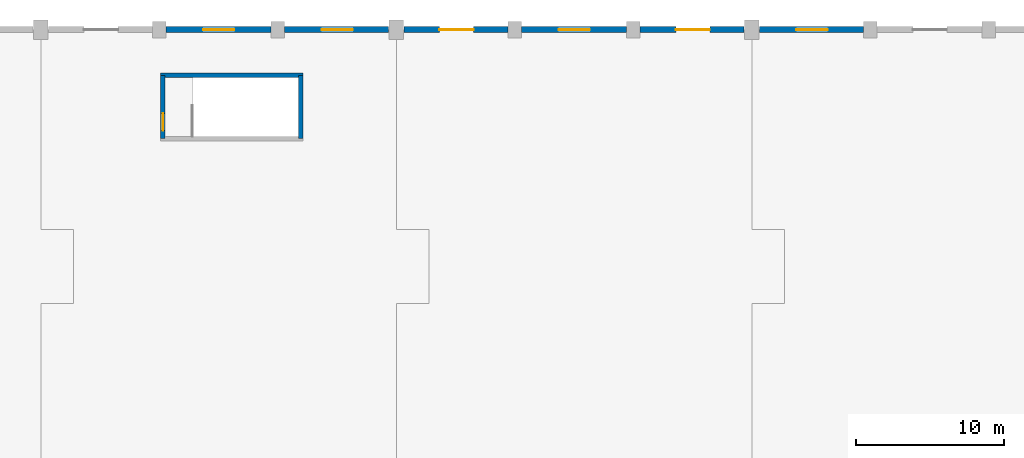
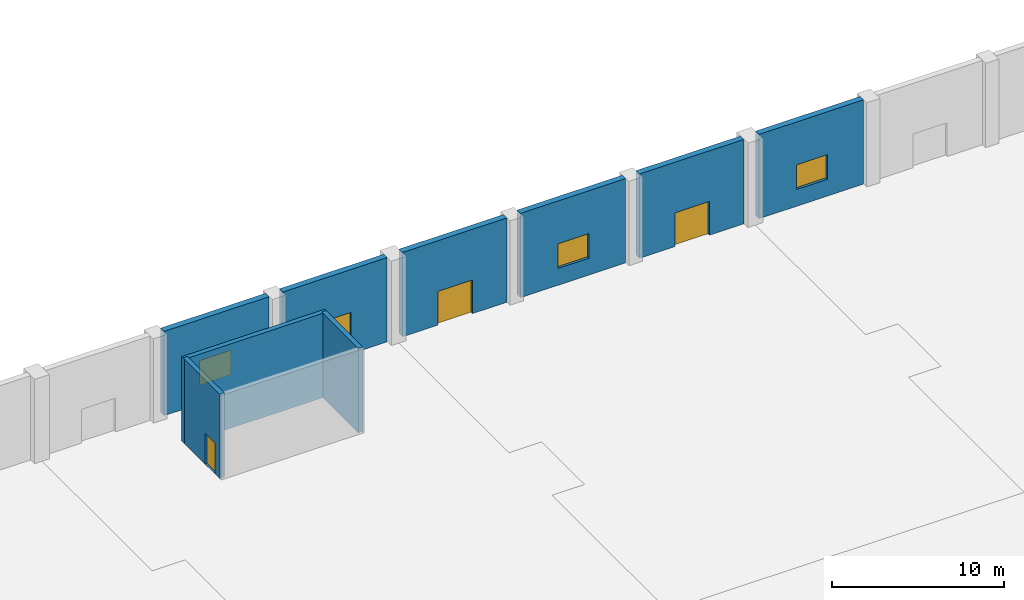
# One storey, part 34 of 49: 9 walls, 4 windows, 3 doors, 7 openings.
"""IFC4 building model written with IfcOpenShell, lengths in metres."""

from ifc_helpers import new_model, si_unit, direction, frame, frame_2d, origin, place, context, subcontext, project, spatial, rectangle, extrude, material, layer, layer_set, type_object, element, fill, save


model = new_model("IFC4")

# Units and contexts
model_context = context("Model", 3, precision=1e-05, world=origin(), true_north=direction((0.0, 1.0)))
body_context = subcontext(model_context, "Body", "Model", "MODEL_VIEW")
ifc_project = project(units=[si_unit("LENGTHUNIT", "METRE"), si_unit("AREAUNIT", "SQUARE_METRE"), si_unit("VOLUMEUNIT", "CUBIC_METRE"), si_unit("PLANEANGLEUNIT", "RADIAN"), si_unit("MASSUNIT", "GRAM", prefix="KILO")], contexts=[model_context])

# Site, building, storey
site_placement = place(None, origin())
site = spatial("IfcSite", under=ifc_project, at=site_placement, CompositionType="ELEMENT")
building_placement = place(site_placement, origin())
building = spatial("IfcBuilding", under=site, at=building_placement, Name="Tlacozan Convention Centre", CompositionType="ELEMENT")
storey_placement = place(building_placement, origin())
storey = spatial("IfcBuildingStorey", under=building, at=storey_placement, Name="L00", CompositionType="ELEMENT", Elevation=0.0)

# Wall, opening, window
ifc_material_1 = material(Name="Concrete C40/50", Category="concrete")
ifc_layer_1 = layer(ifc_material_1, 0.39990234375)
ifc_layer_set_1 = layer_set([ifc_layer_1], Name="Concrete C40/50")
wall_type_1 = type_object("IfcWallType", Name="Cantera Structural Hall Wall 400", PredefinedType="SOLIDWALL", material=ifc_layer_set_1)
wall_1_placement = place(storey_placement, frame((80.465087890625, 126.0, 0.0), z_axis=(0.0, 0.0, 1.0), x_axis=(1.0, 0.0, 0.0)))
wall_1 = element("IfcWall", 1, at=wall_1_placement, inside=storey, type_object=wall_type_1, Name="L00 Cantera Structural Hall Wall 400 33", PredefinedType="SOLIDWALL", context=body_context, shape_type="SweptSolid", body=[
    extrude(rectangle(XDim=7.06982421875, YDim=0.39990234375, at=frame_2d((3.534912109375, 0.0))), origin(), (0.0, 0.0, 1.0), 6.0),
])
opening_1_placement = place(wall_1_placement, frame((2.5, 0.0, 1.199951171875)))
opening_1 = element("IfcOpeningElement", 2, at=opening_1_placement, cuts=wall_1, Name="Opening WN-05", PredefinedType="OPENING", context=body_context, shape_type="SweptSolid", body=[
    extrude(rectangle(XDim=2.10009765625, YDim=1.75, at=frame_2d((1.050048828125, 0.875))), frame((0.0, 0.2099609375, 0.0), z_axis=(0.0, -1.0, 0.0), x_axis=(1.0, 0.0, 0.0)), (0.0, 0.0, 1.0), 0.419921875),
])
ifc_material_2 = material(Name="Solar Control Double Low-E Argon Glazing", Category="glass")
window_type = type_object("IfcWindowType", Name="Exhibition Hall Gallery Window 2100x1750", PartitioningType="SINGLE_PANEL", PredefinedType="WINDOW", material=ifc_material_2)
window_1_placement = place(opening_1_placement, origin())
window_1 = element("IfcWindow", 3, at=window_1_placement, inside=storey, type_object=window_type, Name="L00 Exhibition Hall Gallery Window 2100x1750 10", OverallHeight=1.75, OverallWidth=2.10009765625, PartitioningType="SINGLE_PANEL", PredefinedType="WINDOW", context=body_context, shape_type="SweptSolid", body=[
    extrude(rectangle(XDim=2.10009765625, YDim=1.75, at=frame_2d((1.050048828125, 0.875))), frame((0.0, 0.030029296875, 0.0), z_axis=(0.0, -1.0, 0.0), x_axis=(1.0, 0.0, 0.0)), (0.0, 0.0, 1.0), 0.06005859375),
])
fill(opening_1, window_1)

wall_2_placement = place(storey_placement, frame((88.465087890625, 126.0, 0.0), z_axis=(0.0, 0.0, 1.0), x_axis=(1.0, 0.0, 0.0)))
wall_2 = element("IfcWall", 4, at=wall_2_placement, inside=storey, type_object=wall_type_1, Name="L00 Cantera Structural Hall Wall 400 35", PredefinedType="SOLIDWALL", context=body_context, shape_type="SweptSolid", body=[
    extrude(rectangle(XDim=7.02001953125, YDim=0.39990234375, at=frame_2d((3.510009765625, 0.0))), origin(), (0.0, 0.0, 1.0), 6.0),
])
opening_2_placement = place(wall_2_placement, frame((2.5, 0.0, 1.199951171875)))
opening_2 = element("IfcOpeningElement", 5, at=opening_2_placement, cuts=wall_2, Name="Opening WN-05", PredefinedType="OPENING", context=body_context, shape_type="SweptSolid", body=[
    extrude(rectangle(XDim=2.10009765625, YDim=1.75, at=frame_2d((1.050048828125, 0.875))), frame((0.0, 0.2099609375, 0.0), z_axis=(0.0, -1.0, 0.0), x_axis=(1.0, 0.0, 0.0)), (0.0, 0.0, 1.0), 0.419921875),
])
window_2_placement = place(opening_2_placement, origin())
window_2 = element("IfcWindow", 6, at=window_2_placement, inside=storey, type_object=window_type, Name="L00 Exhibition Hall Gallery Window 2100x1750 11", OverallHeight=1.75, OverallWidth=2.10009765625, PartitioningType="SINGLE_PANEL", PredefinedType="WINDOW", context=body_context, shape_type="SweptSolid", body=[
    extrude(rectangle(XDim=2.10009765625, YDim=1.75, at=frame_2d((1.050048828125, 0.875))), frame((0.0, 0.030029296875, 0.0), z_axis=(0.0, -1.0, 0.0), x_axis=(1.0, 0.0, 0.0)), (0.0, 0.0, 1.0), 0.06005859375),
])
fill(opening_2, window_2)

# Wall, opening, door
wall_3_placement = place(storey_placement, frame((96.514892578125, 126.0, 0.0), z_axis=(0.0, 0.0, 1.0), x_axis=(1.0, 0.0, 0.0)))
wall_3 = element("IfcWall", 7, at=wall_3_placement, inside=storey, type_object=wall_type_1, Name="L00 Cantera Structural Hall Wall 400 37", PredefinedType="SOLIDWALL", context=body_context, shape_type="SweptSolid", body=[
    extrude(rectangle(XDim=7.02001953125, YDim=0.39990234375, at=frame_2d((3.510009765625, 0.0))), origin(), (0.0, 0.0, 1.0), 6.0),
])
opening_3_placement = place(wall_3_placement, frame((2.39990234375, 0.0, 0.0)))
opening_3 = element("IfcOpeningElement", 8, at=opening_3_placement, cuts=wall_3, Name="Opening EX-D1", PredefinedType="OPENING", context=body_context, shape_type="SweptSolid", body=[
    extrude(rectangle(XDim=2.300048828125, YDim=2.39990234375, at=frame_2d((1.14990234375, 1.199951171875))), frame((0.0, 0.2099609375, 0.0), z_axis=(0.0, -1.0, 0.0), x_axis=(1.0, 0.0, 0.0)), (0.0, 0.0, 1.0), 0.419921875),
])
ifc_material_3 = material(Name="Thermally Broken Anodised Aluminium Door", Category="aluminium")
door_type_1 = type_object("IfcDoorType", Name="Pedestrian Final Exit Double Door 2300x2400", OperationType="DOUBLE_DOOR_SINGLE_SWING", PredefinedType="DOOR", material=ifc_material_3)
door_1_placement = place(opening_3_placement, origin())
door_1 = element("IfcDoor", 9, at=door_1_placement, inside=storey, type_object=door_type_1, Name="Final Pedestrian Exit EX-06", OperationType="DOUBLE_DOOR_SINGLE_SWING", OverallHeight=2.39990234375, OverallWidth=2.300048828125, PredefinedType="DOOR", context=body_context, shape_type="SweptSolid", body=[
    extrude(rectangle(XDim=2.300048828125, YDim=2.39990234375, at=frame_2d((1.14990234375, 1.199951171875))), frame((0.0, 0.02490234375, 0.0), z_axis=(0.0, -1.0, 0.0), x_axis=(1.0, 0.0, 0.0)), (0.0, 0.0, 1.0), 0.050048828125),
])
fill(opening_3, door_1)

# Wall, opening, window
wall_4_placement = place(storey_placement, frame((104.465087890625, 126.0, 0.0), z_axis=(0.0, 0.0, 1.0), x_axis=(1.0, 0.0, 0.0)))
wall_4 = element("IfcWall", 10, at=wall_4_placement, inside=storey, type_object=wall_type_1, Name="L00 Cantera Structural Hall Wall 400 39", PredefinedType="SOLIDWALL", context=body_context, shape_type="SweptSolid", body=[
    extrude(rectangle(XDim=7.06982421875, YDim=0.39990234375, at=frame_2d((3.534912109375, 0.0))), origin(), (0.0, 0.0, 1.0), 6.0),
])
opening_4_placement = place(wall_4_placement, frame((2.5, 0.0, 1.199951171875)))
opening_4 = element("IfcOpeningElement", 11, at=opening_4_placement, cuts=wall_4, Name="Opening WN-05", PredefinedType="OPENING", context=body_context, shape_type="SweptSolid", body=[
    extrude(rectangle(XDim=2.10009765625, YDim=1.75, at=frame_2d((1.050048828125, 0.875))), frame((0.0, 0.2099609375, 0.0), z_axis=(0.0, -1.0, 0.0), x_axis=(1.0, 0.0, 0.0)), (0.0, 0.0, 1.0), 0.419921875),
])
window_3_placement = place(opening_4_placement, origin())
window_3 = element("IfcWindow", 12, at=window_3_placement, inside=storey, type_object=window_type, Name="L00 Exhibition Hall Gallery Window 2100x1750 13", OverallHeight=1.75, OverallWidth=2.10009765625, PartitioningType="SINGLE_PANEL", PredefinedType="WINDOW", context=body_context, shape_type="SweptSolid", body=[
    extrude(rectangle(XDim=2.10009765625, YDim=1.75, at=frame_2d((1.050048828125, 0.875))), frame((0.0, 0.030029296875, 0.0), z_axis=(0.0, -1.0, 0.0), x_axis=(1.0, 0.0, 0.0)), (0.0, 0.0, 1.0), 0.06005859375),
])
fill(opening_4, window_3)

# Wall, opening, door
wall_5_placement = place(storey_placement, frame((112.465087890625, 126.0, 0.0), z_axis=(0.0, 0.0, 1.0), x_axis=(1.0, 0.0, 0.0)))
wall_5 = element("IfcWall", 13, at=wall_5_placement, inside=storey, type_object=wall_type_1, Name="L00 Cantera Structural Hall Wall 400 41", PredefinedType="SOLIDWALL", context=body_context, shape_type="SweptSolid", body=[
    extrude(rectangle(XDim=7.02001953125, YDim=0.39990234375, at=frame_2d((3.510009765625, 0.0))), origin(), (0.0, 0.0, 1.0), 6.0),
])
opening_5_placement = place(wall_5_placement, frame((2.39990234375, 0.0, 0.0)))
opening_5 = element("IfcOpeningElement", 14, at=opening_5_placement, cuts=wall_5, Name="Opening EX-D1", PredefinedType="OPENING", context=body_context, shape_type="SweptSolid", body=[
    extrude(rectangle(XDim=2.300048828125, YDim=2.39990234375, at=frame_2d((1.14990234375, 1.199951171875))), frame((0.0, 0.2099609375, 0.0), z_axis=(0.0, -1.0, 0.0), x_axis=(1.0, 0.0, 0.0)), (0.0, 0.0, 1.0), 0.419921875),
])
door_2_placement = place(opening_5_placement, origin())
door_2 = element("IfcDoor", 15, at=door_2_placement, inside=storey, type_object=door_type_1, Name="Final Pedestrian Exit EX-07", OperationType="DOUBLE_DOOR_SINGLE_SWING", OverallHeight=2.39990234375, OverallWidth=2.300048828125, PredefinedType="DOOR", context=body_context, shape_type="SweptSolid", body=[
    extrude(rectangle(XDim=2.300048828125, YDim=2.39990234375, at=frame_2d((1.14990234375, 1.199951171875))), frame((0.0, 0.02490234375, 0.0), z_axis=(0.0, -1.0, 0.0), x_axis=(1.0, 0.0, 0.0)), (0.0, 0.0, 1.0), 0.050048828125),
])
fill(opening_5, door_2)

# Wall, opening, window
wall_6_placement = place(storey_placement, frame((120.514892578125, 126.0, 0.0), z_axis=(0.0, 0.0, 1.0), x_axis=(1.0, 0.0, 0.0)))
wall_6 = element("IfcWall", 16, at=wall_6_placement, inside=storey, type_object=wall_type_1, Name="L00 Cantera Structural Hall Wall 400 43", PredefinedType="SOLIDWALL", context=body_context, shape_type="SweptSolid", body=[
    extrude(rectangle(XDim=7.02001953125, YDim=0.39990234375, at=frame_2d((3.510009765625, 0.0))), origin(), (0.0, 0.0, 1.0), 6.0),
])
opening_6_placement = place(wall_6_placement, frame((2.5, 0.0, 1.199951171875)))
opening_6 = element("IfcOpeningElement", 17, at=opening_6_placement, cuts=wall_6, Name="Opening WN-05", PredefinedType="OPENING", context=body_context, shape_type="SweptSolid", body=[
    extrude(rectangle(XDim=2.10009765625, YDim=1.75, at=frame_2d((1.050048828125, 0.875))), frame((0.0, 0.2099609375, 0.0), z_axis=(0.0, -1.0, 0.0), x_axis=(1.0, 0.0, 0.0)), (0.0, 0.0, 1.0), 0.419921875),
])
window_4_placement = place(opening_6_placement, origin())
window_4 = element("IfcWindow", 18, at=window_4_placement, inside=storey, type_object=window_type, Name="L00 Exhibition Hall Gallery Window 2100x1750 15", OverallHeight=1.75, OverallWidth=2.10009765625, PartitioningType="SINGLE_PANEL", PredefinedType="WINDOW", context=body_context, shape_type="SweptSolid", body=[
    extrude(rectangle(XDim=2.10009765625, YDim=1.75, at=frame_2d((1.050048828125, 0.875))), frame((0.0, 0.030029296875, 0.0), z_axis=(0.0, -1.0, 0.0), x_axis=(1.0, 0.0, 0.0)), (0.0, 0.0, 1.0), 0.06005859375),
])
fill(opening_6, window_4)

# Wall
ifc_layer_2 = layer(ifc_material_1, 0.31005859375)
ifc_layer_set_2 = layer_set([ifc_layer_2], Name="Concrete C40/50")
wall_type_2 = type_object("IfcWallType", Name="Stair Shaft Shear Wall RC 310", PredefinedType="SHEAR", material=ifc_layer_set_2)
wall_7_placement = place(storey_placement, frame((80.0849609375, 122.919921875, 0.0), z_axis=(0.0, 0.0, 1.0), x_axis=(1.0, 0.0, 0.0)))
element("IfcWall", 19, at=wall_7_placement, inside=storey, type_object=wall_type_2, Name="L00 Stair Shaft Shear Wall RC 310 510", PredefinedType="SHEAR", context=body_context, shape_type="SweptSolid", body=[
    extrude(rectangle(XDim=9.630126953125, YDim=0.31005859375, at=frame_2d((4.81494140625, 0.0))), origin(), (0.0, 0.0, 1.0), 6.0),
])

# Wall, opening, door
wall_8_placement = place(storey_placement, frame((80.239990234375, 118.639892578125, 0.0), z_axis=(0.0, 0.0, 1.0), x_axis=(0.0, 1.0, 0.0)))
wall_8 = element("IfcWall", 20, at=wall_8_placement, inside=storey, type_object=wall_type_2, Name="L00 Stair Shaft Shear Wall RC 310 511", PredefinedType="SHEAR", context=body_context, shape_type="SweptSolid", body=[
    extrude(rectangle(XDim=4.280029296875, YDim=0.31005859375, at=frame_2d((2.14013671875, 0.0))), origin(), (0.0, 0.0, 1.0), 6.0),
])
opening_7_placement = place(wall_8_placement, frame((0.550048828125, 0.0, 0.0)))
opening_7 = element("IfcOpeningElement", 21, at=opening_7_placement, cuts=wall_8, Name="Opening FD-02", PredefinedType="OPENING", context=body_context, shape_type="SweptSolid", body=[
    extrude(rectangle(XDim=1.14990234375, YDim=2.199951171875, at=frame_2d((0.574951171875, 1.10009765625))), frame((0.0, 0.1650390625, 0.0), z_axis=(0.0, -1.0, 0.0), x_axis=(1.0, 0.0, 0.0)), (0.0, 0.0, 1.0), 0.330078125),
])
ifc_material_4 = material(Name="Fire-Rated Insulated Steel Door Leaf", Category="steel")
door_type_2 = type_object("IfcDoorType", Name="Fire Door Stair 1150x2200 FD90", OperationType="NOTDEFINED", PredefinedType="DOOR", material=ifc_material_4)
door_3_placement = place(opening_7_placement, origin())
door_3 = element("IfcDoor", 22, at=door_3_placement, inside=storey, type_object=door_type_2, Name="L00 Stair ST-12 Access Door", OperationType="SINGLE_SWING_RIGHT", OverallHeight=2.199951171875, OverallWidth=1.14990234375, PredefinedType="DOOR", context=body_context, shape_type="SweptSolid", body=[
    extrude(rectangle(XDim=1.14990234375, YDim=2.199951171875, at=frame_2d((0.574951171875, 1.10009765625))), frame((0.0, 0.02490234375, 0.0), z_axis=(0.0, -1.0, 0.0), x_axis=(1.0, 0.0, 0.0)), (0.0, 0.0, 1.0), 0.050048828125),
])
fill(opening_7, door_3)

# Wall
wall_9_placement = place(storey_placement, frame((89.56005859375, 118.639892578125, 0.0), z_axis=(0.0, 0.0, 1.0), x_axis=(0.0, 1.0, 0.0)))
element("IfcWall", 23, at=wall_9_placement, inside=storey, type_object=wall_type_2, Name="L00 Stair Shaft Shear Wall RC 310 512", PredefinedType="SHEAR", context=body_context, shape_type="SweptSolid", body=[
    extrude(rectangle(XDim=4.280029296875, YDim=0.31005859375, at=frame_2d((2.14013671875, 0.0))), origin(), (0.0, 0.0, 1.0), 6.0),
])

save(model, "model.ifc")
